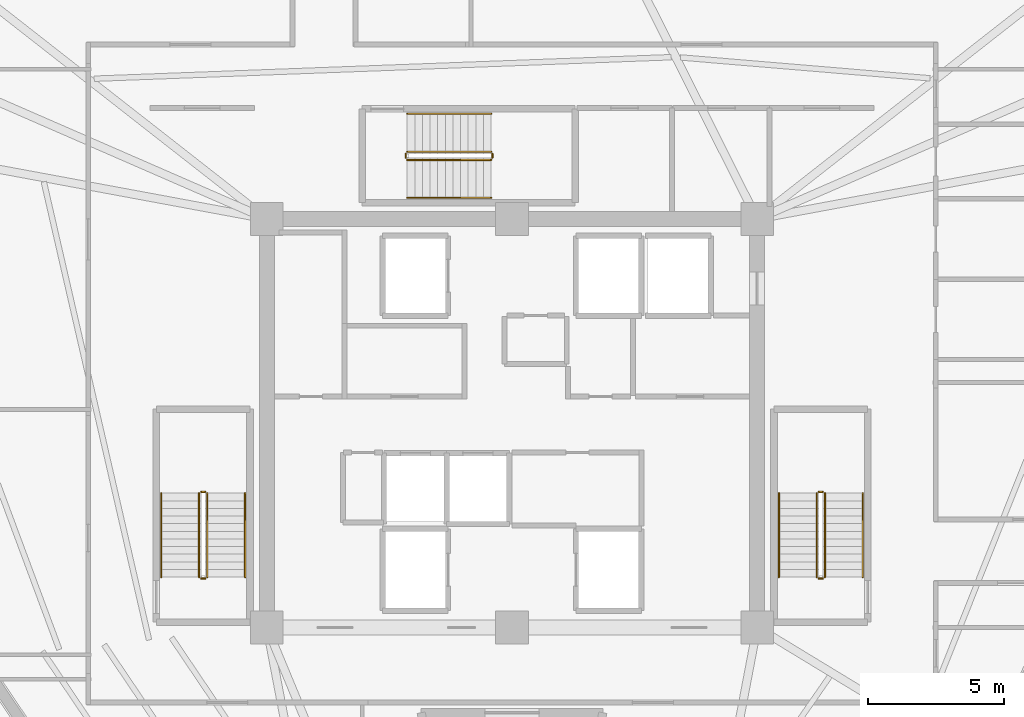
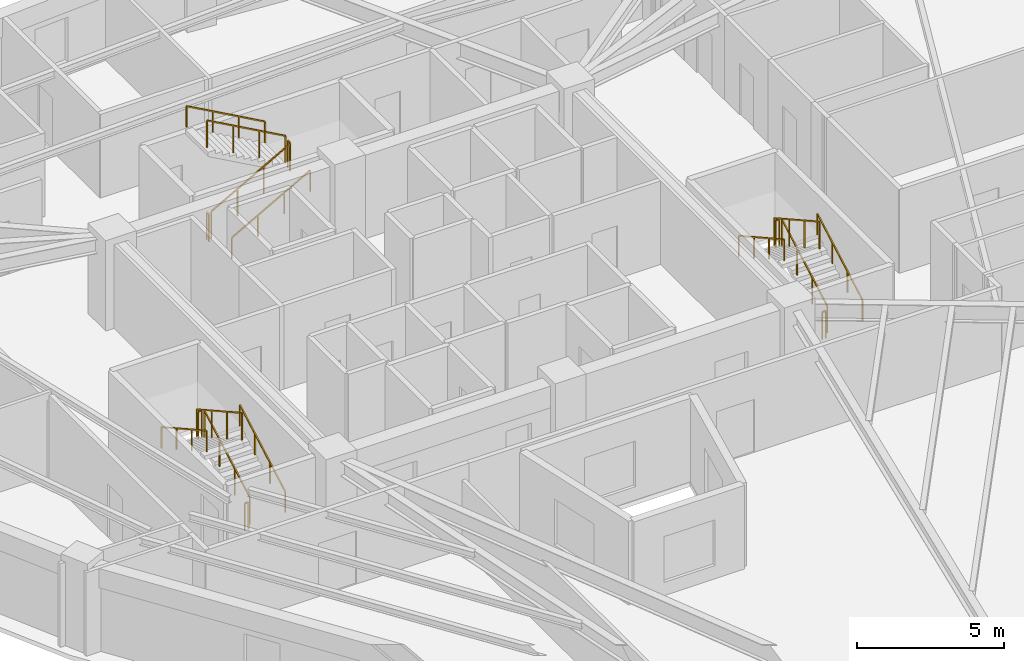
# One storey, part 8 of 8: 18 railings.
"""IFC4 building model written with IfcOpenShell, lengths in metres."""

from ifc_helpers import new_model, si_unit, direction, frame, origin, origin_2d, place, context, subcontext, project, spatial, rectangle, extrude, material, type_object, element, save


model = new_model("IFC4")

# Units and contexts
model_context = context("Model", 3, precision=1e-05, world=origin(), true_north=direction((0.0, 1.0)))
body_context = subcontext(model_context, "Body", "Model", "MODEL_VIEW")
ifc_project = project(units=[si_unit("LENGTHUNIT", "METRE"), si_unit("AREAUNIT", "SQUARE_METRE"), si_unit("VOLUMEUNIT", "CUBIC_METRE"), si_unit("PLANEANGLEUNIT", "RADIAN"), si_unit("MASSUNIT", "GRAM", prefix="KILO")], contexts=[model_context])

# Site, building, storey
site_placement = place(None, origin())
site = spatial("IfcSite", under=ifc_project, at=site_placement, CompositionType="ELEMENT")
building_placement = place(site_placement, origin())
building = spatial("IfcBuilding", under=site, at=building_placement, Name="Liaohun Quay Tower", CompositionType="ELEMENT")
storey_placement = place(building_placement, frame((0.0, 0.0, 347.25)))
storey = spatial("IfcBuildingStorey", under=building, at=storey_placement, Name="L90", CompositionType="ELEMENT", Elevation=347.25)

# Railings
ifc_material_1 = material(Name="Painted tubular steel", Category="steel")
railing_type_1 = type_object("IfcRailingType", Name="RLG-GUARD-STR", PredefinedType="GUARDRAIL", material=ifc_material_1)
railing_1_placement = place(storey_placement, frame((48.81005859375, 48.35009765625, 0.15625)))
element("IfcRailing", 1, at=railing_1_placement, inside=storey, type_object=railing_type_1, Name="L90 ST-1 stair guard 1", PredefinedType="GUARDRAIL", context=body_context, shape_type="SweptSolid", body=[
    extrude(rectangle(XDim=0.048095703125, YDim=0.048095703125, at=origin_2d()), frame((0.0, 0.0, 1.1259765625), z_axis=(0.0, 0.873225103656, 0.487317061414), x_axis=(-1.0, 0.0, 0.0)), (0.0, 0.0, 1.0), 3.52685546875),
    extrude(rectangle(XDim=0.0419921875, YDim=0.0419921875, at=origin_2d()), origin(), (0.0, 0.0, 1.0), 1.101806640625),
    extrude(rectangle(XDim=0.0419921875, YDim=0.0419921875, at=origin_2d()), frame((0.0, 1.026611328125, 0.572998046875)), (0.0, 0.0, 1.0), 1.101806640625),
    extrude(rectangle(XDim=0.0419921875, YDim=0.0419921875, at=origin_2d()), frame((0.0, 2.05322265625, 1.145751953125)), (0.0, 0.0, 1.0), 1.101806640625),
    extrude(rectangle(XDim=0.0419921875, YDim=0.0419921875, at=origin_2d()), frame((0.0, 3.079833984375, 1.71875)), (0.0, 0.0, 1.0), 1.101806640625),
])
railing_2_placement = place(storey_placement, frame((48.72998046875, 51.47998046875, 1.875)))
element("IfcRailing", 2, at=railing_2_placement, inside=storey, type_object=railing_type_1, Name="L90 ST-1 stair guard 2", PredefinedType="GUARDRAIL", context=body_context, shape_type="SweptSolid", body=[
    extrude(rectangle(XDim=0.048095703125, YDim=0.048095703125, at=origin_2d()), frame((0.0, 0.0, 1.1259765625), z_axis=(-1.0, 0.0, 0.0), x_axis=(0.0, -1.0, 0.0)), (0.0, 0.0, 1.0), 0.139892578125),
    extrude(rectangle(XDim=0.0419921875, YDim=0.0419921875, at=origin_2d()), origin(), (0.0, 0.0, 1.0), 1.101806640625),
    extrude(rectangle(XDim=0.0419921875, YDim=0.0419921875, at=origin_2d()), frame((-0.139892578125, 0.0, 0.0)), (0.0, 0.0, 1.0), 1.101806640625),
])
railing_3_placement = place(storey_placement, frame((48.510009765625, 51.429931640625, 2.03125)))
element("IfcRailing", 3, at=railing_3_placement, inside=storey, type_object=railing_type_1, Name="L90 ST-1 stair guard 3", PredefinedType="GUARDRAIL", context=body_context, shape_type="SweptSolid", body=[
    extrude(rectangle(XDim=0.048095703125, YDim=0.048095703125, at=origin_2d()), frame((0.0, 0.0, 1.1259765625), z_axis=(0.0, -0.873225103656, 0.487317061414), x_axis=(1.0, 0.0, 0.0)), (0.0, 0.0, 1.0), 3.52685546875),
    extrude(rectangle(XDim=0.0419921875, YDim=0.0419921875, at=origin_2d()), origin(), (0.0, 0.0, 1.0), 1.101806640625),
    extrude(rectangle(XDim=0.0419921875, YDim=0.0419921875, at=origin_2d()), frame((0.0, -1.026611328125, 0.572998046875)), (0.0, 0.0, 1.0), 1.101806640625),
    extrude(rectangle(XDim=0.0419921875, YDim=0.0419921875, at=origin_2d()), frame((0.0, -2.05322265625, 1.145751953125)), (0.0, 0.0, 1.0), 1.101806640625),
    extrude(rectangle(XDim=0.0419921875, YDim=0.0419921875, at=origin_2d()), frame((0.0, -3.079833984375, 1.71875)), (0.0, 0.0, 1.0), 1.101806640625),
])
railing_4_placement = place(storey_placement, frame((48.72998046875, 48.300048828125, 0.0)))
element("IfcRailing", 4, at=railing_4_placement, inside=storey, type_object=railing_type_1, Name="L90 ST-1 stair guard 4", PredefinedType="GUARDRAIL", context=body_context, shape_type="SweptSolid", body=[
    extrude(rectangle(XDim=0.048095703125, YDim=0.048095703125, at=origin_2d()), frame((0.0, 0.0, 1.1259765625), z_axis=(-1.0, 0.0, 0.0), x_axis=(0.0, -1.0, 0.0)), (0.0, 0.0, 1.0), 0.139892578125),
    extrude(rectangle(XDim=0.0419921875, YDim=0.0419921875, at=origin_2d()), origin(), (0.0, 0.0, 1.0), 1.101806640625),
    extrude(rectangle(XDim=0.0419921875, YDim=0.0419921875, at=origin_2d()), frame((-0.139892578125, 0.0, 0.0)), (0.0, 0.0, 1.0), 1.101806640625),
])
railing_5_placement = place(storey_placement, frame((71.489990234375, 48.35009765625, 0.15625)))
element("IfcRailing", 5, at=railing_5_placement, inside=storey, type_object=railing_type_1, Name="L90 ST-2 stair guard 1", PredefinedType="GUARDRAIL", context=body_context, shape_type="SweptSolid", body=[
    extrude(rectangle(XDim=0.048095703125, YDim=0.048095703125, at=origin_2d()), frame((0.0, 0.0, 1.1259765625), z_axis=(0.0, 0.873225103656, 0.487317061414), x_axis=(-1.0, 0.0, 0.0)), (0.0, 0.0, 1.0), 3.52685546875),
    extrude(rectangle(XDim=0.0419921875, YDim=0.0419921875, at=origin_2d()), origin(), (0.0, 0.0, 1.0), 1.101806640625),
    extrude(rectangle(XDim=0.0419921875, YDim=0.0419921875, at=origin_2d()), frame((0.0, 1.026611328125, 0.572998046875)), (0.0, 0.0, 1.0), 1.101806640625),
    extrude(rectangle(XDim=0.0419921875, YDim=0.0419921875, at=origin_2d()), frame((0.0, 2.05322265625, 1.145751953125)), (0.0, 0.0, 1.0), 1.101806640625),
    extrude(rectangle(XDim=0.0419921875, YDim=0.0419921875, at=origin_2d()), frame((0.0, 3.079833984375, 1.71875)), (0.0, 0.0, 1.0), 1.101806640625),
])
railing_6_placement = place(storey_placement, frame((71.409912109375, 51.47998046875, 1.875)))
element("IfcRailing", 6, at=railing_6_placement, inside=storey, type_object=railing_type_1, Name="L90 ST-2 stair guard 2", PredefinedType="GUARDRAIL", context=body_context, shape_type="SweptSolid", body=[
    extrude(rectangle(XDim=0.048095703125, YDim=0.048095703125, at=origin_2d()), frame((0.0, 0.0, 1.1259765625), z_axis=(-1.0, 0.0, 0.0), x_axis=(0.0, -1.0, 0.0)), (0.0, 0.0, 1.0), 0.139892578125),
    extrude(rectangle(XDim=0.0419921875, YDim=0.0419921875, at=origin_2d()), origin(), (0.0, 0.0, 1.0), 1.101806640625),
    extrude(rectangle(XDim=0.0419921875, YDim=0.0419921875, at=origin_2d()), frame((-0.139892578125, 0.0, 0.0)), (0.0, 0.0, 1.0), 1.101806640625),
])
railing_7_placement = place(storey_placement, frame((71.18994140625, 51.429931640625, 2.03125)))
element("IfcRailing", 7, at=railing_7_placement, inside=storey, type_object=railing_type_1, Name="L90 ST-2 stair guard 3", PredefinedType="GUARDRAIL", context=body_context, shape_type="SweptSolid", body=[
    extrude(rectangle(XDim=0.048095703125, YDim=0.048095703125, at=origin_2d()), frame((0.0, 0.0, 1.1259765625), z_axis=(0.0, -0.873225103656, 0.487317061414), x_axis=(1.0, 0.0, 0.0)), (0.0, 0.0, 1.0), 3.52685546875),
    extrude(rectangle(XDim=0.0419921875, YDim=0.0419921875, at=origin_2d()), origin(), (0.0, 0.0, 1.0), 1.101806640625),
    extrude(rectangle(XDim=0.0419921875, YDim=0.0419921875, at=origin_2d()), frame((0.0, -1.026611328125, 0.572998046875)), (0.0, 0.0, 1.0), 1.101806640625),
    extrude(rectangle(XDim=0.0419921875, YDim=0.0419921875, at=origin_2d()), frame((0.0, -2.05322265625, 1.145751953125)), (0.0, 0.0, 1.0), 1.101806640625),
    extrude(rectangle(XDim=0.0419921875, YDim=0.0419921875, at=origin_2d()), frame((0.0, -3.079833984375, 1.71875)), (0.0, 0.0, 1.0), 1.101806640625),
])
railing_8_placement = place(storey_placement, frame((71.409912109375, 48.300048828125, 0.0)))
element("IfcRailing", 8, at=railing_8_placement, inside=storey, type_object=railing_type_1, Name="L90 ST-2 stair guard 4", PredefinedType="GUARDRAIL", context=body_context, shape_type="SweptSolid", body=[
    extrude(rectangle(XDim=0.048095703125, YDim=0.048095703125, at=origin_2d()), frame((0.0, 0.0, 1.1259765625), z_axis=(-1.0, 0.0, 0.0), x_axis=(0.0, -1.0, 0.0)), (0.0, 0.0, 1.0), 0.139892578125),
    extrude(rectangle(XDim=0.0419921875, YDim=0.0419921875, at=origin_2d()), origin(), (0.0, 0.0, 1.0), 1.101806640625),
    extrude(rectangle(XDim=0.0419921875, YDim=0.0419921875, at=origin_2d()), frame((-0.139892578125, 0.0, 0.0)), (0.0, 0.0, 1.0), 1.101806640625),
])
railing_9_placement = place(storey_placement, frame((56.14990234375, 63.669921875, 0.15625)))
element("IfcRailing", 9, at=railing_9_placement, inside=storey, type_object=railing_type_1, Name="L90 ST-3 stair guard 1", PredefinedType="GUARDRAIL", context=body_context, shape_type="SweptSolid", body=[
    extrude(rectangle(XDim=0.048095703125, YDim=0.048095703125, at=origin_2d()), frame((0.0, 0.0, 1.1259765625), z_axis=(0.873241540666, 0.0, 0.487287606713), x_axis=(0.0, 1.0, 0.0)), (0.0, 0.0, 1.0), 3.527099609375),
    extrude(rectangle(XDim=0.0419921875, YDim=0.0419921875, at=origin_2d()), origin(), (0.0, 0.0, 1.0), 1.101806640625),
    extrude(rectangle(XDim=0.0419921875, YDim=0.0419921875, at=origin_2d()), frame((1.026611328125, 0.0, 0.572998046875)), (0.0, 0.0, 1.0), 1.101806640625),
    extrude(rectangle(XDim=0.0419921875, YDim=0.0419921875, at=origin_2d()), frame((2.053466796875, 0.0, 1.145751953125)), (0.0, 0.0, 1.0), 1.101806640625),
    extrude(rectangle(XDim=0.0419921875, YDim=0.0419921875, at=origin_2d()), frame((3.080078125, 0.0, 1.71875)), (0.0, 0.0, 1.0), 1.101806640625),
])
railing_10_placement = place(storey_placement, frame((59.280029296875, 63.75, 1.875)))
element("IfcRailing", 10, at=railing_10_placement, inside=storey, type_object=railing_type_1, Name="L90 ST-3 stair guard 2", PredefinedType="GUARDRAIL", context=body_context, shape_type="SweptSolid", body=[
    extrude(rectangle(XDim=0.048095703125, YDim=0.048095703125, at=origin_2d()), frame((0.0, 0.0, 1.1259765625), z_axis=(0.0, 1.0, 0.0), x_axis=(-1.0, 0.0, 0.0)), (0.0, 0.0, 1.0), 0.139892578125),
    extrude(rectangle(XDim=0.0419921875, YDim=0.0419921875, at=origin_2d()), origin(), (0.0, 0.0, 1.0), 1.101806640625),
    extrude(rectangle(XDim=0.0419921875, YDim=0.0419921875, at=origin_2d()), frame((0.0, 0.139892578125, 0.0)), (0.0, 0.0, 1.0), 1.101806640625),
])
railing_11_placement = place(storey_placement, frame((59.22998046875, 63.969970703125, 2.03125)))
element("IfcRailing", 11, at=railing_11_placement, inside=storey, type_object=railing_type_1, Name="L90 ST-3 stair guard 3", PredefinedType="GUARDRAIL", context=body_context, shape_type="SweptSolid", body=[
    extrude(rectangle(XDim=0.048095703125, YDim=0.048095703125, at=origin_2d()), frame((0.0, 0.0, 1.1259765625), z_axis=(-0.873241540666, 0.0, 0.487287606713), x_axis=(0.0, -1.0, 0.0)), (0.0, 0.0, 1.0), 3.527099609375),
    extrude(rectangle(XDim=0.0419921875, YDim=0.0419921875, at=origin_2d()), origin(), (0.0, 0.0, 1.0), 1.101806640625),
    extrude(rectangle(XDim=0.0419921875, YDim=0.0419921875, at=origin_2d()), frame((-1.026611328125, 0.0, 0.572998046875)), (0.0, 0.0, 1.0), 1.101806640625),
    extrude(rectangle(XDim=0.0419921875, YDim=0.0419921875, at=origin_2d()), frame((-2.053466796875, 0.0, 1.145751953125)), (0.0, 0.0, 1.0), 1.101806640625),
    extrude(rectangle(XDim=0.0419921875, YDim=0.0419921875, at=origin_2d()), frame((-3.080078125, 0.0, 1.71875)), (0.0, 0.0, 1.0), 1.101806640625),
])
railing_12_placement = place(storey_placement, frame((56.10009765625, 63.75, 0.0)))
element("IfcRailing", 12, at=railing_12_placement, inside=storey, type_object=railing_type_1, Name="L90 ST-3 stair guard 4", PredefinedType="GUARDRAIL", context=body_context, shape_type="SweptSolid", body=[
    extrude(rectangle(XDim=0.048095703125, YDim=0.048095703125, at=origin_2d()), frame((0.0, 0.0, 1.1259765625), z_axis=(0.0, 1.0, 0.0), x_axis=(-1.0, 0.0, 0.0)), (0.0, 0.0, 1.0), 0.139892578125),
    extrude(rectangle(XDim=0.0419921875, YDim=0.0419921875, at=origin_2d()), origin(), (0.0, 0.0, 1.0), 1.101806640625),
    extrude(rectangle(XDim=0.0419921875, YDim=0.0419921875, at=origin_2d()), frame((0.0, 0.139892578125, 0.0)), (0.0, 0.0, 1.0), 1.101806640625),
])
ifc_material_2 = material(Name="Brushed stainless steel", Category="steel")
railing_type_2 = type_object("IfcRailingType", Name="RLG-HND-STR", PredefinedType="HANDRAIL", material=ifc_material_2)
railing_13_placement = place(storey_placement, frame((50.199951171875, 48.35009765625, 0.15625)))
element("IfcRailing", 13, at=railing_13_placement, inside=storey, type_object=railing_type_2, Name="L90 ST-1 stair handrail 1", PredefinedType="HANDRAIL", context=body_context, shape_type="SweptSolid", body=[
    extrude(rectangle(XDim=0.048095703125, YDim=0.048095703125, at=origin_2d()), frame((0.0, 0.0, 0.8759765625), z_axis=(0.0, 0.873225103656, 0.487317061414), x_axis=(-1.0, 0.0, 0.0)), (0.0, 0.0, 1.0), 3.52685546875),
    extrude(rectangle(XDim=0.0419921875, YDim=0.0419921875, at=origin_2d()), origin(), (0.0, 0.0, 1.0), 0.851806640625),
    extrude(rectangle(XDim=0.0419921875, YDim=0.0419921875, at=origin_2d()), frame((0.0, 1.026611328125, 0.572998046875)), (0.0, 0.0, 1.0), 0.851806640625),
    extrude(rectangle(XDim=0.0419921875, YDim=0.0419921875, at=origin_2d()), frame((0.0, 2.05322265625, 1.145751953125)), (0.0, 0.0, 1.0), 0.851806640625),
    extrude(rectangle(XDim=0.0419921875, YDim=0.0419921875, at=origin_2d()), frame((0.0, 3.079833984375, 1.71875)), (0.0, 0.0, 1.0), 0.851806640625),
])
railing_14_placement = place(storey_placement, frame((47.1201171875, 51.429931640625, 2.03125)))
element("IfcRailing", 14, at=railing_14_placement, inside=storey, type_object=railing_type_2, Name="L90 ST-1 stair handrail 2", PredefinedType="HANDRAIL", context=body_context, shape_type="SweptSolid", body=[
    extrude(rectangle(XDim=0.048095703125, YDim=0.048095703125, at=origin_2d()), frame((0.0, 0.0, 0.8759765625), z_axis=(0.0, -0.873225103656, 0.487317061414), x_axis=(1.0, 0.0, 0.0)), (0.0, 0.0, 1.0), 3.52685546875),
    extrude(rectangle(XDim=0.0419921875, YDim=0.0419921875, at=origin_2d()), origin(), (0.0, 0.0, 1.0), 0.851806640625),
    extrude(rectangle(XDim=0.0419921875, YDim=0.0419921875, at=origin_2d()), frame((0.0, -1.026611328125, 0.572998046875)), (0.0, 0.0, 1.0), 0.851806640625),
    extrude(rectangle(XDim=0.0419921875, YDim=0.0419921875, at=origin_2d()), frame((0.0, -2.05322265625, 1.145751953125)), (0.0, 0.0, 1.0), 0.851806640625),
    extrude(rectangle(XDim=0.0419921875, YDim=0.0419921875, at=origin_2d()), frame((0.0, -3.079833984375, 1.71875)), (0.0, 0.0, 1.0), 0.851806640625),
])
railing_15_placement = place(storey_placement, frame((72.8798828125, 48.35009765625, 0.15625)))
element("IfcRailing", 15, at=railing_15_placement, inside=storey, type_object=railing_type_2, Name="L90 ST-2 stair handrail 1", PredefinedType="HANDRAIL", context=body_context, shape_type="SweptSolid", body=[
    extrude(rectangle(XDim=0.048095703125, YDim=0.048095703125, at=origin_2d()), frame((0.0, 0.0, 0.8759765625), z_axis=(0.0, 0.873225103656, 0.487317061414), x_axis=(-1.0, 0.0, 0.0)), (0.0, 0.0, 1.0), 3.52685546875),
    extrude(rectangle(XDim=0.0419921875, YDim=0.0419921875, at=origin_2d()), origin(), (0.0, 0.0, 1.0), 0.851806640625),
    extrude(rectangle(XDim=0.0419921875, YDim=0.0419921875, at=origin_2d()), frame((0.0, 1.026611328125, 0.572998046875)), (0.0, 0.0, 1.0), 0.851806640625),
    extrude(rectangle(XDim=0.0419921875, YDim=0.0419921875, at=origin_2d()), frame((0.0, 2.05322265625, 1.145751953125)), (0.0, 0.0, 1.0), 0.851806640625),
    extrude(rectangle(XDim=0.0419921875, YDim=0.0419921875, at=origin_2d()), frame((0.0, 3.079833984375, 1.71875)), (0.0, 0.0, 1.0), 0.851806640625),
])
railing_16_placement = place(storey_placement, frame((69.800048828125, 51.429931640625, 2.03125)))
element("IfcRailing", 16, at=railing_16_placement, inside=storey, type_object=railing_type_2, Name="L90 ST-2 stair handrail 2", PredefinedType="HANDRAIL", context=body_context, shape_type="SweptSolid", body=[
    extrude(rectangle(XDim=0.048095703125, YDim=0.048095703125, at=origin_2d()), frame((0.0, 0.0, 0.8759765625), z_axis=(0.0, -0.873225103656, 0.487317061414), x_axis=(1.0, 0.0, 0.0)), (0.0, 0.0, 1.0), 3.52685546875),
    extrude(rectangle(XDim=0.0419921875, YDim=0.0419921875, at=origin_2d()), origin(), (0.0, 0.0, 1.0), 0.851806640625),
    extrude(rectangle(XDim=0.0419921875, YDim=0.0419921875, at=origin_2d()), frame((0.0, -1.026611328125, 0.572998046875)), (0.0, 0.0, 1.0), 0.851806640625),
    extrude(rectangle(XDim=0.0419921875, YDim=0.0419921875, at=origin_2d()), frame((0.0, -2.05322265625, 1.145751953125)), (0.0, 0.0, 1.0), 0.851806640625),
    extrude(rectangle(XDim=0.0419921875, YDim=0.0419921875, at=origin_2d()), frame((0.0, -3.079833984375, 1.71875)), (0.0, 0.0, 1.0), 0.851806640625),
])
railing_17_placement = place(storey_placement, frame((56.14990234375, 62.280029296875, 0.15625)))
element("IfcRailing", 17, at=railing_17_placement, inside=storey, type_object=railing_type_2, Name="L90 ST-3 stair handrail 1", PredefinedType="HANDRAIL", context=body_context, shape_type="SweptSolid", body=[
    extrude(rectangle(XDim=0.048095703125, YDim=0.048095703125, at=origin_2d()), frame((0.0, 0.0, 0.8759765625), z_axis=(0.873241540666, 0.0, 0.487287606713), x_axis=(0.0, 1.0, 0.0)), (0.0, 0.0, 1.0), 3.527099609375),
    extrude(rectangle(XDim=0.0419921875, YDim=0.0419921875, at=origin_2d()), origin(), (0.0, 0.0, 1.0), 0.851806640625),
    extrude(rectangle(XDim=0.0419921875, YDim=0.0419921875, at=origin_2d()), frame((1.026611328125, 0.0, 0.572998046875)), (0.0, 0.0, 1.0), 0.851806640625),
    extrude(rectangle(XDim=0.0419921875, YDim=0.0419921875, at=origin_2d()), frame((2.053466796875, 0.0, 1.145751953125)), (0.0, 0.0, 1.0), 0.851806640625),
    extrude(rectangle(XDim=0.0419921875, YDim=0.0419921875, at=origin_2d()), frame((3.080078125, 0.0, 1.71875)), (0.0, 0.0, 1.0), 0.851806640625),
])
railing_18_placement = place(storey_placement, frame((59.22998046875, 65.360107421875, 2.03125)))
element("IfcRailing", 18, at=railing_18_placement, inside=storey, type_object=railing_type_2, Name="L90 ST-3 stair handrail 2", PredefinedType="HANDRAIL", context=body_context, shape_type="SweptSolid", body=[
    extrude(rectangle(XDim=0.048095703125, YDim=0.048095703125, at=origin_2d()), frame((0.0, 0.0, 0.8759765625), z_axis=(-0.873241540666, 0.0, 0.487287606713), x_axis=(0.0, -1.0, 0.0)), (0.0, 0.0, 1.0), 3.527099609375),
    extrude(rectangle(XDim=0.0419921875, YDim=0.0419921875, at=origin_2d()), origin(), (0.0, 0.0, 1.0), 0.851806640625),
    extrude(rectangle(XDim=0.0419921875, YDim=0.0419921875, at=origin_2d()), frame((-1.026611328125, 0.0, 0.572998046875)), (0.0, 0.0, 1.0), 0.851806640625),
    extrude(rectangle(XDim=0.0419921875, YDim=0.0419921875, at=origin_2d()), frame((-2.053466796875, 0.0, 1.145751953125)), (0.0, 0.0, 1.0), 0.851806640625),
    extrude(rectangle(XDim=0.0419921875, YDim=0.0419921875, at=origin_2d()), frame((-3.080078125, 0.0, 1.71875)), (0.0, 0.0, 1.0), 0.851806640625),
])

save(model, "model.ifc")
